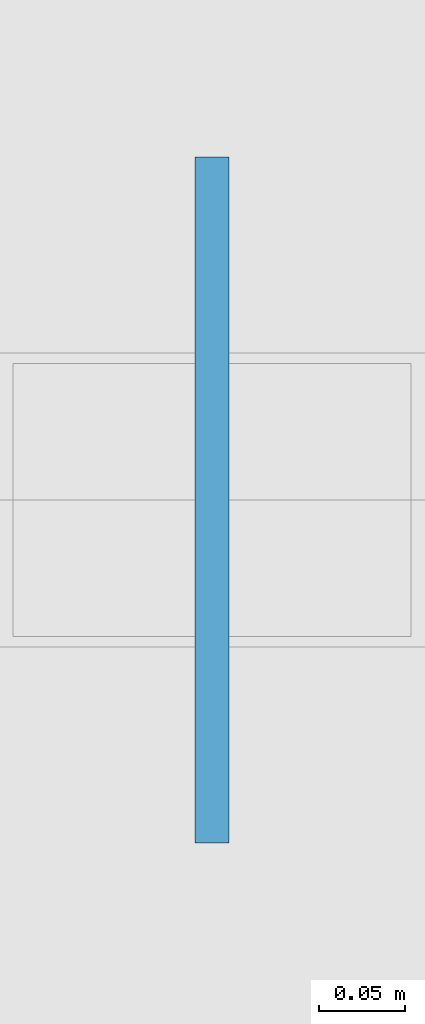
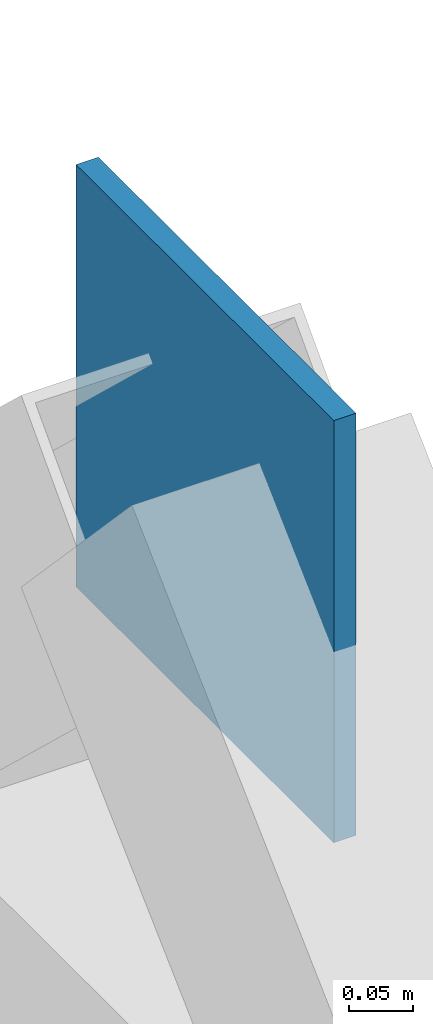
# One storey, part 67 of 130: 1 plate.
"""IFC4 building model written with IfcOpenShell, lengths in metres."""

from ifc_helpers import new_model, si_unit, direction, frame, origin, origin_2d, place, context, subcontext, project, spatial, rectangle, extrude, material, layer, layer_set, type_object, element, save


model = new_model("IFC4")

# Units and contexts
model_context = context("Model", 3, precision=1e-05, world=origin(), true_north=direction((0.0, 1.0)))
body_context = subcontext(model_context, "Body", "Model", "MODEL_VIEW")
ifc_project = project(units=[si_unit("LENGTHUNIT", "METRE"), si_unit("AREAUNIT", "SQUARE_METRE"), si_unit("VOLUMEUNIT", "CUBIC_METRE"), si_unit("PLANEANGLEUNIT", "RADIAN"), si_unit("MASSUNIT", "GRAM", prefix="KILO"), si_unit("THERMODYNAMICTEMPERATUREUNIT", "KELVIN"), si_unit("POWERUNIT", "WATT")], contexts=[model_context])

# Site, building, storey
site_placement = place(None, origin())
site = spatial("IfcSite", under=ifc_project, at=site_placement, CompositionType="ELEMENT")
building_placement = place(site_placement, origin())
building = spatial("IfcBuilding", under=site, at=building_placement, Name="Tallowbark Science Centre", CompositionType="ELEMENT")
storey_placement = place(building_placement, frame((0.0, 0.0, 5.39990234375)))
storey = spatial("IfcBuildingStorey", under=building, at=storey_placement, Name="L01", CompositionType="ELEMENT", Elevation=5.39990234375)

# Plate
ifc_material = material(Name="Structural Steel Grade 300PLUS (300 MPa)", Category="steel")
ifc_layer = layer(ifc_material, 0.02001953125)
ifc_layer_set = layer_set([ifc_layer], Name="Structural Steel Grade 300PLUS (300 MPa)")
plate_type = type_object("IfcPlateType", Name="PLT-GUS-20", PredefinedType="SHEET", material=ifc_layer_set)
plate_placement = place(storey_placement, frame((162.0, 85.5, 4.050048828125), z_axis=(0.0, 0.0, 1.0), x_axis=(0.0, 1.0, 0.0)))
element("IfcPlate", 1, at=plate_placement, inside=storey, type_object=plate_type, Name="Chevron Brace Apex Gusset CBF-OBS-E1A L01", PredefinedType="SHEET", context=body_context, shape_type="SweptSolid", body=[
    extrude(rectangle(XDim=0.39990234375, YDim=0.02001953125, at=origin_2d()), origin(), (0.0, 0.0, 1.0), 0.39990234375),
])

save(model, "model.ifc")
